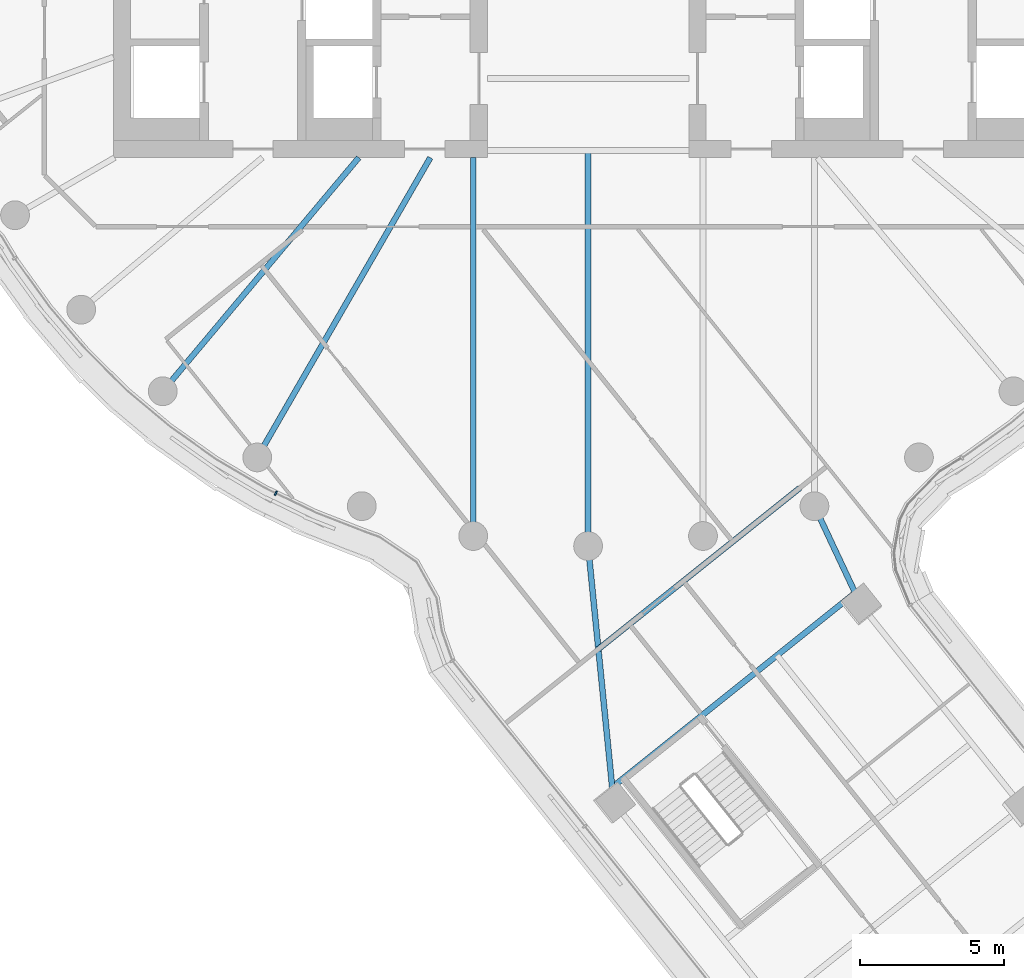
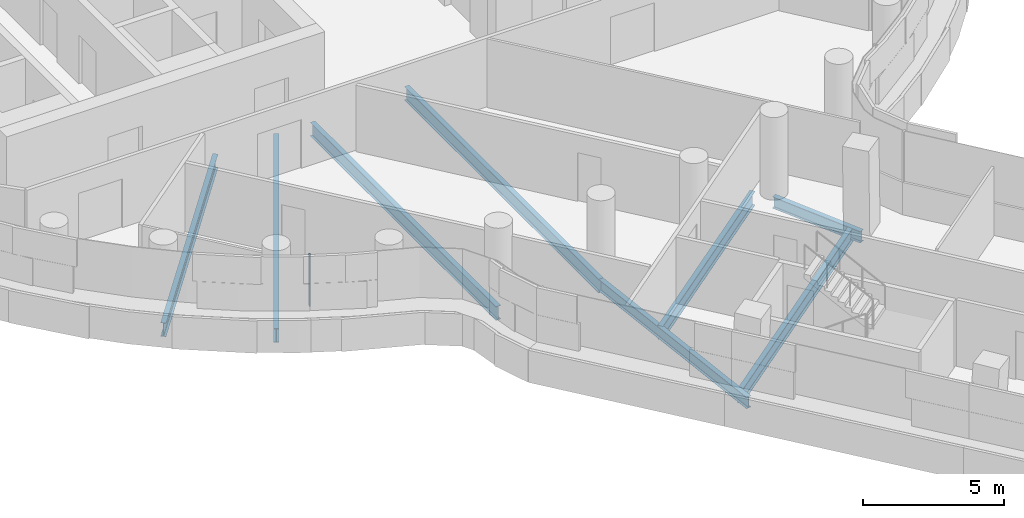
# One storey, part 5 of 31: 8 beams, 1 member, 1 element without a shape of its own.
"""IFC4 building model written with IfcOpenShell, lengths in metres."""

from ifc_helpers import new_model, si_unit, direction, frame, origin, origin_2d, place, context, subcontext, project, spatial, rectangle, i_section, extrude, material, layer, layer_set, material_profile, profile_set, type_object, element, aggregate, save


model = new_model("IFC4")

# Units and contexts
model_context = context("Model", 3, precision=1e-05, world=origin(), true_north=direction((0.0, 1.0)))
body_context = subcontext(model_context, "Body", "Model", "MODEL_VIEW")
ifc_project = project(units=[si_unit("LENGTHUNIT", "METRE"), si_unit("AREAUNIT", "SQUARE_METRE"), si_unit("VOLUMEUNIT", "CUBIC_METRE"), si_unit("PLANEANGLEUNIT", "RADIAN"), si_unit("MASSUNIT", "GRAM", prefix="KILO")], contexts=[model_context])

# Site, building, storey
site_placement = place(None, origin())
site = spatial("IfcSite", under=ifc_project, at=site_placement, CompositionType="ELEMENT")
building_placement = place(site_placement, origin())
building = spatial("IfcBuilding", under=site, at=building_placement, Name="Tamarind Cross Interchange Tower", CompositionType="ELEMENT")
storey_placement = place(building_placement, frame((0.0, 0.0, 174.25)))
storey = spatial("IfcBuildingStorey", under=building, at=storey_placement, Name="L43", CompositionType="ELEMENT", Elevation=174.25)

# Beams
ifc_material_1 = material(Name="Steel Q355B", Category="steel")
ifc_material_profile_1 = material_profile(ifc_material_1, i_section(OverallWidth=0.198974609375, OverallDepth=0.49609375, WebThickness=0.009033203125, FlangeThickness=0.013916015625, FilletRadius=0.012939453125, at=origin_2d()), Name="HN 496x199x9x14")
ifc_profile_set_1 = profile_set([ifc_material_profile_1], Name="Steel Q355B")
beam_type_1 = type_object("IfcBeamType", Name="Composite beam HN 496x199x9x14 Q355B", PredefinedType="BEAM", material=ifc_profile_set_1)
beam_1_placement = place(storey_placement, frame((0.889892578125, -31.9169921875, -0.387939453125), z_axis=(-0.099304108061, 0.995057131085, 0.0), x_axis=(-0.995057131085, -0.099304108061, 0.0)))
element("IfcBeam", 1, at=beam_1_placement, inside=storey, type_object=beam_type_1, Name="Beam S-linkem", PredefinedType="BEAM", context=body_context, shape_type="SweptSolid", body=[
    extrude(i_section(OverallWidth=0.198974609375, OverallDepth=0.49609375, WebThickness=0.009033203125, FlangeThickness=0.013916015625, FilletRadius=0.012939453125, at=origin_2d()), origin(), (0.0, 0.0, 1.0), 8.961181640625),
])
beam_2_placement = place(storey_placement, frame((9.479736328125, -25.045654296875, -0.387939453125), z_axis=(-0.425350595271, 0.905028657614, 0.0), x_axis=(-0.905028657614, -0.425350595271, 0.0)))
element("IfcBeam", 2, at=beam_2_placement, inside=storey, type_object=beam_type_1, Name="Beam S-linkep", PredefinedType="BEAM", context=body_context, shape_type="SweptSolid", body=[
    extrude(i_section(OverallWidth=0.198974609375, OverallDepth=0.49609375, WebThickness=0.009033203125, FlangeThickness=0.013916015625, FilletRadius=0.012939453125, at=origin_2d()), origin(), (0.0, 0.0, 1.0), 3.792724609375),
])
ifc_material_profile_2 = material_profile(ifc_material_1, i_section(OverallWidth=0.198974609375, OverallDepth=0.595947265625, WebThickness=0.010009765625, FlangeThickness=0.014892578125, FilletRadius=0.012939453125, at=origin_2d()), Name="HN 596x199x10x15")
ifc_profile_set_2 = profile_set([ifc_material_profile_2], Name="Steel Q355B")
beam_type_2 = type_object("IfcBeamType", Name="Composite beam HN 596x199x10x15 Q355B", PredefinedType="BEAM", material=ifc_profile_set_2)
beam_3_placement = place(storey_placement, frame((-14.7841796875, -17.619140625, -0.43798828125), z_axis=(0.642786293979, 0.766045547127, 0.0), x_axis=(-0.766045547127, 0.642786293979, 0.0)))
element("IfcBeam", 3, at=beam_3_placement, inside=storey, type_object=beam_type_2, Name="Beam HH23", PredefinedType="BEAM", context=body_context, shape_type="SweptSolid", body=[
    extrude(i_section(OverallWidth=0.198974609375, OverallDepth=0.595947265625, WebThickness=0.010009765625, FlangeThickness=0.014892578125, FilletRadius=0.012939453125, at=origin_2d()), origin(), (0.0, 0.0, 1.0), 10.598876953125),
])
beam_4_placement = place(storey_placement, frame((-11.5, -19.918701171875, -0.43798828125), z_axis=(0.499993565836, 0.866029118519, 0.0), x_axis=(-0.866029118519, 0.499993565836, 0.0)))
element("IfcBeam", 4, at=beam_4_placement, inside=storey, type_object=beam_type_2, Name="Beam HH24", PredefinedType="BEAM", context=body_context, shape_type="SweptSolid", body=[
    extrude(i_section(OverallWidth=0.198974609375, OverallDepth=0.595947265625, WebThickness=0.010009765625, FlangeThickness=0.014892578125, FilletRadius=0.012939453125, at=origin_2d()), origin(), (0.0, 0.0, 1.0), 12.030517578125),
])
beam_5_placement = place(storey_placement, frame((-3.993896484375, -22.650634765625, -0.43798828125), z_axis=(0.0, 1.0, 0.0), x_axis=(-1.0, 0.0, 0.0)))
element("IfcBeam", 5, at=beam_5_placement, inside=storey, type_object=beam_type_2, Name="Beam HH26", PredefinedType="BEAM", context=body_context, shape_type="SweptSolid", body=[
    extrude(i_section(OverallWidth=0.198974609375, OverallDepth=0.595947265625, WebThickness=0.010009765625, FlangeThickness=0.014892578125, FilletRadius=0.012939453125, at=origin_2d()), origin(), (0.0, 0.0, 1.0), 13.150634765625),
])
beam_6_placement = place(storey_placement, frame((0.0, -23.0, -0.43798828125), z_axis=(0.0, 1.0, 0.0), x_axis=(-1.0, 0.0, 0.0)))
element("IfcBeam", 6, at=beam_6_placement, inside=storey, type_object=beam_type_2, Name="Beam HH27", PredefinedType="BEAM", context=body_context, shape_type="SweptSolid", body=[
    extrude(i_section(OverallWidth=0.198974609375, OverallDepth=0.595947265625, WebThickness=0.010009765625, FlangeThickness=0.014892578125, FilletRadius=0.012939453125, at=origin_2d()), origin(), (0.0, 0.0, 1.0), 13.75),
])
ifc_material_profile_3 = material_profile(ifc_material_1, i_section(OverallWidth=0.199951171875, OverallDepth=0.60009765625, WebThickness=0.010986328125, FlangeThickness=0.01708984375, FilletRadius=0.012939453125, at=origin_2d()), Name="HN 600x200x11x17")
ifc_profile_set_3 = profile_set([ifc_material_profile_3], Name="Steel Q355B")
beam_type_3 = type_object("IfcBeamType", Name="Composite beam HN 600x200x11x17 Q355B", PredefinedType="BEAM", material=ifc_profile_set_3)
beam_7_placement = place(storey_placement, frame((0.836669921875, -31.38330078125, -0.43994140625), z_axis=(0.780890830773, 0.624667519897, 0.0), x_axis=(-0.624667519897, 0.780890830773, 0.0)))
element("IfcBeam", 7, at=beam_7_placement, inside=storey, type_object=beam_type_3, Name="Beam S-x298", PredefinedType="BEAM", context=body_context, shape_type="SweptSolid", body=[
    extrude(i_section(OverallWidth=0.199951171875, OverallDepth=0.60009765625, WebThickness=0.010986328125, FlangeThickness=0.01708984375, FilletRadius=0.012939453125, at=origin_2d()), origin(), (0.0, 0.0, 1.0), 10.81591796875),
])
beam_8_placement = place(storey_placement, frame((0.357177734375, -26.580322265625, -0.43994140625), z_axis=(0.780892715356, 0.624665163991, 0.0), x_axis=(-0.624665163991, 0.780892715356, 0.0)))
element("IfcBeam", 8, at=beam_8_placement, inside=storey, type_object=beam_type_3, Name="Beam S-x258", PredefinedType="BEAM", context=body_context, shape_type="SweptSolid", body=[
    extrude(i_section(OverallWidth=0.199951171875, OverallDepth=0.60009765625, WebThickness=0.010986328125, FlangeThickness=0.01708984375, FilletRadius=0.012939453125, at=origin_2d()), origin(), (0.0, 0.0, 1.0), 8.966796875),
])

# Curtain wall, member
ifc_material_2 = material(Name="Aluminium 6063-T6", Category="aluminium")
ifc_layer = layer(ifc_material_2, 0.159912109375)
ifc_layer_set = layer_set([ifc_layer], Name="Aluminium 6063-T6")
curtain_wall_type = type_object("IfcCurtainWallType", Name="Office curtain wall, 9.0 m bays", PredefinedType="NOTDEFINED", material=ifc_layer_set)
curtain_wall_placement = place(storey_placement, origin())
curtain_wall = element("IfcCurtainWall", 9, at=curtain_wall_placement, inside=storey, type_object=curtain_wall_type, Name="CWS-L43-02", PredefinedType="NOTDEFINED")
ifc_material_profile_4 = material_profile(ifc_material_2, rectangle(XDim=0.06005859375, YDim=0.159912109375, at=origin_2d()), Name="Mullion CW1")
ifc_profile_set_4 = profile_set([ifc_material_profile_4], Name="Aluminium 6063-T6")
member_type = type_object("IfcMemberType", Name="Mullion CW1", PredefinedType="MULLION", material=ifc_profile_set_4)
member_placement = place(storey_placement, frame((-10.8525390625, -21.161376953125, 1.39990234375), z_axis=(0.0, 0.0, 1.0), x_axis=(0.900272776334, -0.435326231914, 0.0)))
member = element("IfcMember", 10, at=member_placement, type_object=member_type, Name="CWM-L43-02-02", PredefinedType="MULLION", context=body_context, shape_type="SweptSolid", body=[
    extrude(rectangle(XDim=0.06005859375, YDim=0.159912109375, at=origin_2d()), origin(), (0.0, 0.0, 1.0), 2.170166015625),
])
aggregate(curtain_wall, [member])

save(model, "model.ifc")
